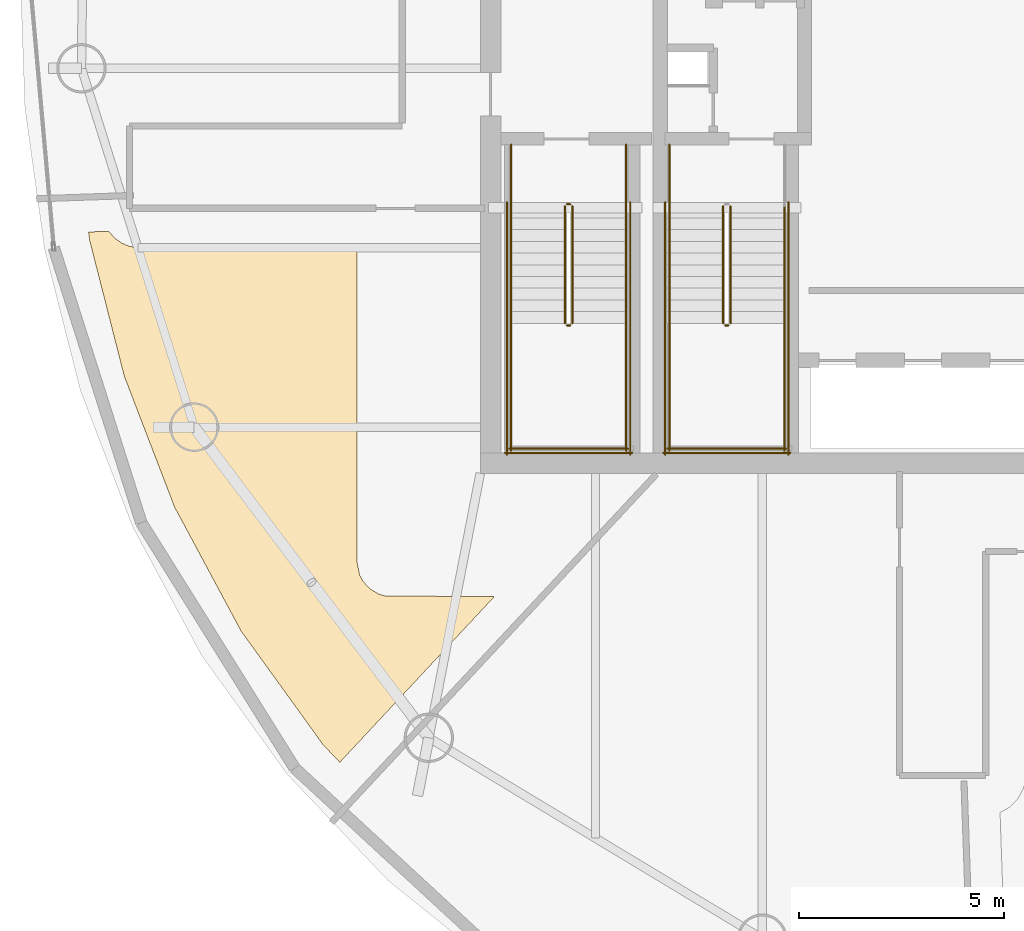
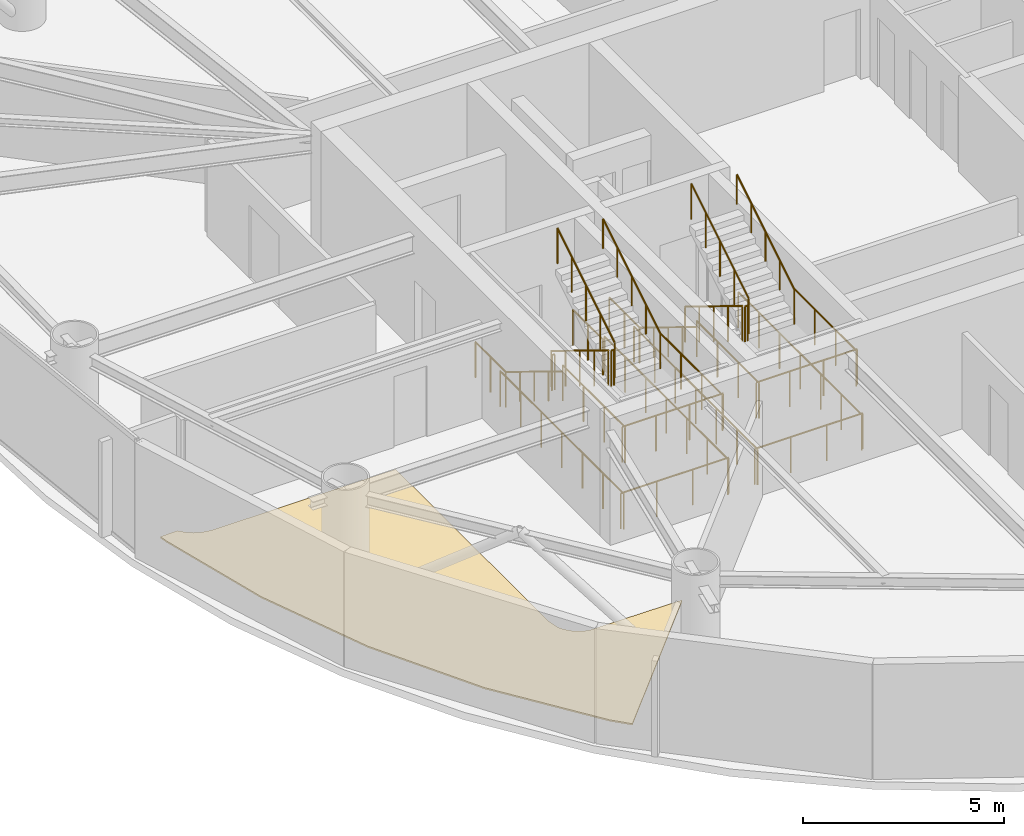
# One storey, part 16 of 18: 26 railings, 1 covering.
"""IFC4 building model written with IfcOpenShell, lengths in metres."""

from ifc_helpers import new_model, si_unit, direction, frame, origin, origin_2d, place, context, subcontext, project, spatial, polyline, circle, outline, extrude, material, layer, layer_set, type_object, element, save


model = new_model("IFC4")

# Units and contexts
model_context = context("Model", 3, precision=1e-05, world=origin(), true_north=direction((0.0, 1.0)))
body_context = subcontext(model_context, "Body", "Model", "MODEL_VIEW")
ifc_project = project(units=[si_unit("LENGTHUNIT", "METRE"), si_unit("AREAUNIT", "SQUARE_METRE"), si_unit("VOLUMEUNIT", "CUBIC_METRE"), si_unit("PLANEANGLEUNIT", "RADIAN"), si_unit("MASSUNIT", "GRAM", prefix="KILO")], contexts=[model_context])

# Site, building, storey
site_placement = place(None, origin())
site = spatial("IfcSite", under=ifc_project, at=site_placement, CompositionType="ELEMENT")
building_placement = place(site_placement, origin())
building = spatial("IfcBuilding", under=site, at=building_placement, Name="Bramvorn Convention Spire", CompositionType="ELEMENT")
storey_placement = place(building_placement, frame((0.0, 0.0, 232.800048828125)))
storey = spatial("IfcBuildingStorey", under=building, at=storey_placement, Name="L59", CompositionType="ELEMENT", Elevation=232.800048828125)

# Covering
ifc_material_1 = material(Name="Calcium-Sulphate Raised Access Office Floor", Category="steel")
ifc_layer = layer(ifc_material_1, 0.044921875)
ifc_layer_set = layer_set([ifc_layer], Name="Calcium-Sulphate Raised Access Office Floor - FLR-RAISED-45")
covering_type = type_object("IfcCoveringType", Name="FLR-RAISED-45", PredefinedType="FLOORING", material=ifc_layer_set)
covering_placement = place(storey_placement, origin())
element("IfcCovering", 1, at=covering_placement, inside=storey, type_object=covering_type, Name="L59 Galley Kitchen 5 raised floor finish", PredefinedType="FLOORING", context=body_context, shape_type="SweptSolid", body=[
    extrude(outline(polyline([(17.217041015625, 24.423583984375), (17.2470703125, 24.2099609375), (18.087158203125, 20.914306640625), (19.31298828125, 17.723876953125), (20.9287109375, 14.713623046875), (22.923583984375, 11.947021484375), (23.33203125, 11.516845703125), (27.093017578125, 15.550048828125), (24.43408203125, 15.56640625), (24.274658203125, 15.61474609375), (24.060791015625, 15.742919921875), (23.893310546875, 15.927734375), (23.814697265625, 16.07470703125), (23.75, 16.39990234375), (23.75, 24.030029296875), (18.447021484375, 24.031494140625), (18.1865234375, 24.081787109375), (18.018310546875, 24.15771484375), (17.858642578125, 24.271484375), (17.70751953125, 24.44091796875), (17.217041015625, 24.423583984375)])), origin(), (0.0, 0.0, 1.0), 0.044921875),
])

# Railings
ifc_material_2 = material(Name="Painted Steel Balustrade & Guardrail", Category="steel")
railing_type_1 = type_object("IfcRailingType", Name="RL-STAIR-GUARD-1100", PredefinedType="GUARDRAIL", material=ifc_material_2)
railing_1_placement = place(storey_placement, frame((28.81005859375, 25.050048828125, 0.175048828125)))
element("IfcRailing", 2, at=railing_1_placement, inside=storey, type_object=railing_type_1, Name="L59 ST1 stair guard 1", PredefinedType="GUARDRAIL", context=body_context, shape_type="SweptSolid", body=[
    extrude(circle(Radius=0.02392578125, at=origin_2d()), frame((0.0, 0.0, 1.076171875), z_axis=(0.0, -0.852179220489, 0.52325001306), x_axis=(1.0, 0.0, 0.0)), (0.0, 0.0, 1.0), 3.344482421875),
    extrude(circle(Radius=0.02099609375, at=origin_2d()), origin(), (0.0, 0.0, 1.0), 1.052001953125),
    extrude(circle(Radius=0.02099609375, at=origin_2d()), frame((0.0, -0.71240234375, 0.4375)), (0.0, 0.0, 1.0), 1.052001953125),
    extrude(circle(Radius=0.02099609375, at=origin_2d()), frame((0.0, -1.425048828125, 0.875)), (0.0, 0.0, 1.0), 1.052001953125),
    extrude(circle(Radius=0.02099609375, at=origin_2d()), frame((0.0, -2.1376953125, 1.3125)), (0.0, 0.0, 1.0), 1.052001953125),
    extrude(circle(Radius=0.02099609375, at=origin_2d()), frame((0.0, -2.85009765625, 1.75)), (0.0, 0.0, 1.0), 1.052001953125),
])
railing_2_placement = place(storey_placement, frame((28.860107421875, 22.14990234375, 1.925048828125)))
element("IfcRailing", 3, at=railing_2_placement, inside=storey, type_object=railing_type_1, Name="L59 ST1 stair guard 2", PredefinedType="GUARDRAIL", context=body_context, shape_type="SweptSolid", body=[
    extrude(circle(Radius=0.02392578125, at=origin_2d()), frame((0.0, 0.0, 1.076171875), z_axis=(1.0, 0.0, 0.0), x_axis=(0.0, 1.0, 0.0)), (0.0, 0.0, 1.0), 0.079833984375),
    extrude(circle(Radius=0.02099609375, at=origin_2d()), origin(), (0.0, 0.0, 1.0), 1.052001953125),
    extrude(circle(Radius=0.02099609375, at=origin_2d()), frame((0.079833984375, 0.0, 0.0)), (0.0, 0.0, 1.0), 1.052001953125),
])
for number, where, name in (
    (4, (27.5, 22.199951171875, 1.925048828125), "L59 ST1 stair guard 3"),
    (5, (30.300048828125, 22.199951171875, 1.925048828125), "L59 ST1 stair guard 4"),
):
    element("IfcRailing", number, at=place(storey_placement, frame(where)), inside=storey, type_object=railing_type_1, Name=name, PredefinedType="GUARDRAIL", context=body_context, shape_type="SweptSolid", body=[
        extrude(circle(Radius=0.02392578125, at=origin_2d()), frame((0.0, 0.0, 1.076171875), z_axis=(0.0, -1.0, 0.0), x_axis=(1.0, 0.0, 0.0)), (0.0, 0.0, 1.0), 3.099853515625),
        extrude(circle(Radius=0.02099609375, at=origin_2d()), origin(), (0.0, 0.0, 1.0), 1.052001953125),
        extrude(circle(Radius=0.02099609375, at=origin_2d()), frame((0.0, -1.033203125, 0.0)), (0.0, 0.0, 1.0), 1.052001953125),
        extrude(circle(Radius=0.02099609375, at=origin_2d()), frame((0.0, -2.066650390625, 0.0)), (0.0, 0.0, 1.0), 1.052001953125),
        extrude(circle(Radius=0.02099609375, at=origin_2d()), frame((0.0, -3.099853515625, 0.0)), (0.0, 0.0, 1.0), 1.052001953125),
    ])
railing_3_placement = place(storey_placement, frame((27.449951171875, 19.14990234375, 1.925048828125)))
element("IfcRailing", 6, at=railing_3_placement, inside=storey, type_object=railing_type_1, Name="L59 ST1 stair guard 5", PredefinedType="GUARDRAIL", context=body_context, shape_type="SweptSolid", body=[
    extrude(circle(Radius=0.02392578125, at=origin_2d()), frame((0.0, 0.0, 1.076171875), z_axis=(1.0, 0.0, 0.0), x_axis=(0.0, 1.0, 0.0)), (0.0, 0.0, 1.0), 2.900146484375),
    extrude(circle(Radius=0.02099609375, at=origin_2d()), origin(), (0.0, 0.0, 1.0), 1.052001953125),
    extrude(circle(Radius=0.02099609375, at=origin_2d()), frame((0.966796875, 0.0, 0.0)), (0.0, 0.0, 1.0), 1.052001953125),
    extrude(circle(Radius=0.02099609375, at=origin_2d()), frame((1.933349609375, 0.0, 0.0)), (0.0, 0.0, 1.0), 1.052001953125),
    extrude(circle(Radius=0.02099609375, at=origin_2d()), frame((2.900146484375, 0.0, 0.0)), (0.0, 0.0, 1.0), 1.052001953125),
])
railing_4_placement = place(storey_placement, frame((28.989990234375, 22.199951171875, 2.099853515625)))
element("IfcRailing", 7, at=railing_4_placement, inside=storey, type_object=railing_type_1, Name="L59 ST1 stair guard 6", PredefinedType="GUARDRAIL", context=body_context, shape_type="SweptSolid", body=[
    extrude(circle(Radius=0.02392578125, at=origin_2d()), frame((0.0, 0.0, 1.076171875), z_axis=(0.0, 0.852179220489, 0.52325001306), x_axis=(-1.0, 0.0, 0.0)), (0.0, 0.0, 1.0), 3.344482421875),
    extrude(circle(Radius=0.02099609375, at=origin_2d()), origin(), (0.0, 0.0, 1.0), 1.052001953125),
    extrude(circle(Radius=0.02099609375, at=origin_2d()), frame((0.0, 0.71240234375, 0.4375)), (0.0, 0.0, 1.0), 1.052001953125),
    extrude(circle(Radius=0.02099609375, at=origin_2d()), frame((0.0, 1.425048828125, 0.875)), (0.0, 0.0, 1.0), 1.052001953125),
    extrude(circle(Radius=0.02099609375, at=origin_2d()), frame((0.0, 2.1376953125, 1.3125)), (0.0, 0.0, 1.0), 1.052001953125),
    extrude(circle(Radius=0.02099609375, at=origin_2d()), frame((0.0, 2.85009765625, 1.75)), (0.0, 0.0, 1.0), 1.052001953125),
])
railing_5_placement = place(storey_placement, frame((28.860107421875, 25.10009765625, 0.0)))
element("IfcRailing", 8, at=railing_5_placement, inside=storey, type_object=railing_type_1, Name="L59 ST1 stair guard 7", PredefinedType="GUARDRAIL", context=body_context, shape_type="SweptSolid", body=[
    extrude(circle(Radius=0.02392578125, at=origin_2d()), frame((0.0, 0.0, 1.076171875), z_axis=(1.0, 0.0, 0.0), x_axis=(0.0, 1.0, 0.0)), (0.0, 0.0, 1.0), 0.079833984375),
    extrude(circle(Radius=0.02099609375, at=origin_2d()), origin(), (0.0, 0.0, 1.0), 1.052001953125),
    extrude(circle(Radius=0.02099609375, at=origin_2d()), frame((0.079833984375, 0.0, 0.0)), (0.0, 0.0, 1.0), 1.052001953125),
])
for number, where, name in (
    (9, (27.5, 26.550048828125, 0.0), "L59 ST1 stair guard 8"),
    (10, (30.300048828125, 26.550048828125, 0.0), "L59 ST1 stair guard 9"),
):
    element("IfcRailing", number, at=place(storey_placement, frame(where)), inside=storey, type_object=railing_type_1, Name=name, PredefinedType="GUARDRAIL", context=body_context, shape_type="SweptSolid", body=[
        extrude(circle(Radius=0.02392578125, at=origin_2d()), frame((0.0, 0.0, 1.076171875), z_axis=(0.0, -1.0, 0.0), x_axis=(1.0, 0.0, 0.0)), (0.0, 0.0, 1.0), 1.5),
        extrude(circle(Radius=0.02099609375, at=origin_2d()), origin(), (0.0, 0.0, 1.0), 1.052001953125),
        extrude(circle(Radius=0.02099609375, at=origin_2d()), frame((0.0, -0.75, 0.0)), (0.0, 0.0, 1.0), 1.052001953125),
        extrude(circle(Radius=0.02099609375, at=origin_2d()), frame((0.0, -1.5, 0.0)), (0.0, 0.0, 1.0), 1.052001953125),
    ])
for number, where, name in (
    (11, (27.39990234375, 25.14990234375, 0.0), "L59 ST1 stair guard 10"),
    (12, (30.39990234375, 25.14990234375, 0.0), "L59 ST1 stair guard 11"),
):
    element("IfcRailing", number, at=place(storey_placement, frame(where)), inside=storey, type_object=railing_type_1, Name=name, PredefinedType="GUARDRAIL", context=body_context, shape_type="SweptSolid", body=[
        extrude(circle(Radius=0.02392578125, at=origin_2d()), frame((0.0, 0.0, 1.076171875), z_axis=(0.0, -1.0, 0.0), x_axis=(1.0, 0.0, 0.0)), (0.0, 0.0, 1.0), 6.14990234375),
        extrude(circle(Radius=0.02099609375, at=origin_2d()), origin(), (0.0, 0.0, 1.0), 1.052001953125),
        extrude(circle(Radius=0.02099609375, at=origin_2d()), frame((0.0, -1.02490234375, 0.0)), (0.0, 0.0, 1.0), 1.052001953125),
        extrude(circle(Radius=0.02099609375, at=origin_2d()), frame((0.0, -2.050048828125, 0.0)), (0.0, 0.0, 1.0), 1.052001953125),
        extrude(circle(Radius=0.02099609375, at=origin_2d()), frame((0.0, -3.074951171875, 0.0)), (0.0, 0.0, 1.0), 1.052001953125),
        extrude(circle(Radius=0.02099609375, at=origin_2d()), frame((0.0, -4.099853515625, 0.0)), (0.0, 0.0, 1.0), 1.052001953125),
        extrude(circle(Radius=0.02099609375, at=origin_2d()), frame((0.0, -5.125, 0.0)), (0.0, 0.0, 1.0), 1.052001953125),
        extrude(circle(Radius=0.02099609375, at=origin_2d()), frame((0.0, -6.14990234375, 0.0)), (0.0, 0.0, 1.0), 1.052001953125),
    ])
railing_6_placement = place(storey_placement, frame((27.35009765625, 19.050048828125, 0.0)))
element("IfcRailing", 13, at=railing_6_placement, inside=storey, type_object=railing_type_1, Name="L59 ST1 stair guard 12", PredefinedType="GUARDRAIL", context=body_context, shape_type="SweptSolid", body=[
    extrude(circle(Radius=0.02392578125, at=origin_2d()), frame((0.0, 0.0, 1.076171875), z_axis=(1.0, 0.0, 0.0), x_axis=(0.0, 1.0, 0.0)), (0.0, 0.0, 1.0), 3.099853515625),
    extrude(circle(Radius=0.02099609375, at=origin_2d()), origin(), (0.0, 0.0, 1.0), 1.052001953125),
    extrude(circle(Radius=0.02099609375, at=origin_2d()), frame((1.033203125, 0.0, 0.0)), (0.0, 0.0, 1.0), 1.052001953125),
    extrude(circle(Radius=0.02099609375, at=origin_2d()), frame((2.066650390625, 0.0, 0.0)), (0.0, 0.0, 1.0), 1.052001953125),
    extrude(circle(Radius=0.02099609375, at=origin_2d()), frame((3.099853515625, 0.0, 0.0)), (0.0, 0.0, 1.0), 1.052001953125),
])
railing_7_placement = place(storey_placement, frame((32.659912109375, 25.050048828125, 0.175048828125)))
element("IfcRailing", 14, at=railing_7_placement, inside=storey, type_object=railing_type_1, Name="L59 ST3 stair guard 1", PredefinedType="GUARDRAIL", context=body_context, shape_type="SweptSolid", body=[
    extrude(circle(Radius=0.02392578125, at=origin_2d()), frame((0.0, 0.0, 1.076171875), z_axis=(0.0, -0.852179220489, 0.52325001306), x_axis=(1.0, 0.0, 0.0)), (0.0, 0.0, 1.0), 3.344482421875),
    extrude(circle(Radius=0.02099609375, at=origin_2d()), origin(), (0.0, 0.0, 1.0), 1.052001953125),
    extrude(circle(Radius=0.02099609375, at=origin_2d()), frame((0.0, -0.71240234375, 0.4375)), (0.0, 0.0, 1.0), 1.052001953125),
    extrude(circle(Radius=0.02099609375, at=origin_2d()), frame((0.0, -1.425048828125, 0.875)), (0.0, 0.0, 1.0), 1.052001953125),
    extrude(circle(Radius=0.02099609375, at=origin_2d()), frame((0.0, -2.1376953125, 1.3125)), (0.0, 0.0, 1.0), 1.052001953125),
    extrude(circle(Radius=0.02099609375, at=origin_2d()), frame((0.0, -2.85009765625, 1.75)), (0.0, 0.0, 1.0), 1.052001953125),
])
railing_8_placement = place(storey_placement, frame((32.7099609375, 22.14990234375, 1.925048828125)))
element("IfcRailing", 15, at=railing_8_placement, inside=storey, type_object=railing_type_1, Name="L59 ST3 stair guard 2", PredefinedType="GUARDRAIL", context=body_context, shape_type="SweptSolid", body=[
    extrude(circle(Radius=0.02392578125, at=origin_2d()), frame((0.0, 0.0, 1.076171875), z_axis=(1.0, 0.0, 0.0), x_axis=(0.0, 1.0, 0.0)), (0.0, 0.0, 1.0), 0.080078125),
    extrude(circle(Radius=0.02099609375, at=origin_2d()), origin(), (0.0, 0.0, 1.0), 1.052001953125),
    extrude(circle(Radius=0.02099609375, at=origin_2d()), frame((0.080078125, 0.0, 0.0)), (0.0, 0.0, 1.0), 1.052001953125),
])
for number, where, name in (
    (16, (31.35009765625, 22.199951171875, 1.925048828125), "L59 ST3 stair guard 3"),
    (17, (34.14990234375, 22.199951171875, 1.925048828125), "L59 ST3 stair guard 4"),
):
    element("IfcRailing", number, at=place(storey_placement, frame(where)), inside=storey, type_object=railing_type_1, Name=name, PredefinedType="GUARDRAIL", context=body_context, shape_type="SweptSolid", body=[
        extrude(circle(Radius=0.02392578125, at=origin_2d()), frame((0.0, 0.0, 1.076171875), z_axis=(0.0, -1.0, 0.0), x_axis=(1.0, 0.0, 0.0)), (0.0, 0.0, 1.0), 3.099853515625),
        extrude(circle(Radius=0.02099609375, at=origin_2d()), origin(), (0.0, 0.0, 1.0), 1.052001953125),
        extrude(circle(Radius=0.02099609375, at=origin_2d()), frame((0.0, -1.033203125, 0.0)), (0.0, 0.0, 1.0), 1.052001953125),
        extrude(circle(Radius=0.02099609375, at=origin_2d()), frame((0.0, -2.066650390625, 0.0)), (0.0, 0.0, 1.0), 1.052001953125),
        extrude(circle(Radius=0.02099609375, at=origin_2d()), frame((0.0, -3.099853515625, 0.0)), (0.0, 0.0, 1.0), 1.052001953125),
    ])
railing_9_placement = place(storey_placement, frame((31.300048828125, 19.14990234375, 1.925048828125)))
element("IfcRailing", 18, at=railing_9_placement, inside=storey, type_object=railing_type_1, Name="L59 ST3 stair guard 5", PredefinedType="GUARDRAIL", context=body_context, shape_type="SweptSolid", body=[
    extrude(circle(Radius=0.02392578125, at=origin_2d()), frame((0.0, 0.0, 1.076171875), z_axis=(1.0, 0.0, 0.0), x_axis=(0.0, 1.0, 0.0)), (0.0, 0.0, 1.0), 2.89990234375),
    extrude(circle(Radius=0.02099609375, at=origin_2d()), origin(), (0.0, 0.0, 1.0), 1.052001953125),
    extrude(circle(Radius=0.02099609375, at=origin_2d()), frame((0.966552734375, 0.0, 0.0)), (0.0, 0.0, 1.0), 1.052001953125),
    extrude(circle(Radius=0.02099609375, at=origin_2d()), frame((1.933349609375, 0.0, 0.0)), (0.0, 0.0, 1.0), 1.052001953125),
    extrude(circle(Radius=0.02099609375, at=origin_2d()), frame((2.89990234375, 0.0, 0.0)), (0.0, 0.0, 1.0), 1.052001953125),
])
railing_10_placement = place(storey_placement, frame((32.840087890625, 22.199951171875, 2.099853515625)))
element("IfcRailing", 19, at=railing_10_placement, inside=storey, type_object=railing_type_1, Name="L59 ST3 stair guard 6", PredefinedType="GUARDRAIL", context=body_context, shape_type="SweptSolid", body=[
    extrude(circle(Radius=0.02392578125, at=origin_2d()), frame((0.0, 0.0, 1.076171875), z_axis=(0.0, 0.852179220489, 0.52325001306), x_axis=(-1.0, 0.0, 0.0)), (0.0, 0.0, 1.0), 3.344482421875),
    extrude(circle(Radius=0.02099609375, at=origin_2d()), origin(), (0.0, 0.0, 1.0), 1.052001953125),
    extrude(circle(Radius=0.02099609375, at=origin_2d()), frame((0.0, 0.71240234375, 0.4375)), (0.0, 0.0, 1.0), 1.052001953125),
    extrude(circle(Radius=0.02099609375, at=origin_2d()), frame((0.0, 1.425048828125, 0.875)), (0.0, 0.0, 1.0), 1.052001953125),
    extrude(circle(Radius=0.02099609375, at=origin_2d()), frame((0.0, 2.1376953125, 1.3125)), (0.0, 0.0, 1.0), 1.052001953125),
    extrude(circle(Radius=0.02099609375, at=origin_2d()), frame((0.0, 2.85009765625, 1.75)), (0.0, 0.0, 1.0), 1.052001953125),
])
railing_11_placement = place(storey_placement, frame((31.35009765625, 26.550048828125, 0.0)))
element("IfcRailing", 20, at=railing_11_placement, inside=storey, type_object=railing_type_1, Name="L59 ST3 stair guard 8", PredefinedType="GUARDRAIL", context=body_context, shape_type="SweptSolid", body=[
    extrude(circle(Radius=0.02392578125, at=origin_2d()), frame((0.0, 0.0, 1.076171875), z_axis=(0.0, -1.0, 0.0), x_axis=(1.0, 0.0, 0.0)), (0.0, 0.0, 1.0), 1.5),
    extrude(circle(Radius=0.02099609375, at=origin_2d()), origin(), (0.0, 0.0, 1.0), 1.052001953125),
    extrude(circle(Radius=0.02099609375, at=origin_2d()), frame((0.0, -0.75, 0.0)), (0.0, 0.0, 1.0), 1.052001953125),
    extrude(circle(Radius=0.02099609375, at=origin_2d()), frame((0.0, -1.5, 0.0)), (0.0, 0.0, 1.0), 1.052001953125),
])
for number, where, name in (
    (21, (31.25, 25.14990234375, 0.0), "L59 ST3 stair guard 10"),
    (22, (34.25, 25.14990234375, 0.0), "L59 ST3 stair guard 11"),
):
    element("IfcRailing", number, at=place(storey_placement, frame(where)), inside=storey, type_object=railing_type_1, Name=name, PredefinedType="GUARDRAIL", context=body_context, shape_type="SweptSolid", body=[
        extrude(circle(Radius=0.02392578125, at=origin_2d()), frame((0.0, 0.0, 1.076171875), z_axis=(0.0, -1.0, 0.0), x_axis=(1.0, 0.0, 0.0)), (0.0, 0.0, 1.0), 6.14990234375),
        extrude(circle(Radius=0.02099609375, at=origin_2d()), origin(), (0.0, 0.0, 1.0), 1.052001953125),
        extrude(circle(Radius=0.02099609375, at=origin_2d()), frame((0.0, -1.02490234375, 0.0)), (0.0, 0.0, 1.0), 1.052001953125),
        extrude(circle(Radius=0.02099609375, at=origin_2d()), frame((0.0, -2.050048828125, 0.0)), (0.0, 0.0, 1.0), 1.052001953125),
        extrude(circle(Radius=0.02099609375, at=origin_2d()), frame((0.0, -3.074951171875, 0.0)), (0.0, 0.0, 1.0), 1.052001953125),
        extrude(circle(Radius=0.02099609375, at=origin_2d()), frame((0.0, -4.099853515625, 0.0)), (0.0, 0.0, 1.0), 1.052001953125),
        extrude(circle(Radius=0.02099609375, at=origin_2d()), frame((0.0, -5.125, 0.0)), (0.0, 0.0, 1.0), 1.052001953125),
        extrude(circle(Radius=0.02099609375, at=origin_2d()), frame((0.0, -6.14990234375, 0.0)), (0.0, 0.0, 1.0), 1.052001953125),
    ])
railing_12_placement = place(storey_placement, frame((31.199951171875, 19.050048828125, 0.0)))
element("IfcRailing", 23, at=railing_12_placement, inside=storey, type_object=railing_type_1, Name="L59 ST3 stair guard 12", PredefinedType="GUARDRAIL", context=body_context, shape_type="SweptSolid", body=[
    extrude(circle(Radius=0.02392578125, at=origin_2d()), frame((0.0, 0.0, 1.076171875), z_axis=(1.0, 0.0, 0.0), x_axis=(0.0, 1.0, 0.0)), (0.0, 0.0, 1.0), 3.10009765625),
    extrude(circle(Radius=0.02099609375, at=origin_2d()), origin(), (0.0, 0.0, 1.0), 1.052001953125),
    extrude(circle(Radius=0.02099609375, at=origin_2d()), frame((1.033447265625, 0.0, 0.0)), (0.0, 0.0, 1.0), 1.052001953125),
    extrude(circle(Radius=0.02099609375, at=origin_2d()), frame((2.066650390625, 0.0, 0.0)), (0.0, 0.0, 1.0), 1.052001953125),
    extrude(circle(Radius=0.02099609375, at=origin_2d()), frame((3.10009765625, 0.0, 0.0)), (0.0, 0.0, 1.0), 1.052001953125),
])
ifc_material_3 = material(Name="Brushed Bronze Tubular Handrail", Category="aluminium")
railing_type_2 = type_object("IfcRailingType", Name="RL-STAIR-HR-920", PredefinedType="HANDRAIL", material=ifc_material_3)
railing_13_placement = place(storey_placement, frame((27.5, 25.050048828125, 0.175048828125)))
element("IfcRailing", 24, at=railing_13_placement, inside=storey, type_object=railing_type_2, Name="L59 ST1 stair handrail 1", PredefinedType="HANDRAIL", context=body_context, shape_type="SweptSolid", body=[
    extrude(circle(Radius=0.02392578125, at=origin_2d()), frame((0.0, 0.0, 0.89599609375), z_axis=(0.0, -0.852179220489, 0.52325001306), x_axis=(1.0, 0.0, 0.0)), (0.0, 0.0, 1.0), 3.344482421875),
    extrude(circle(Radius=0.02099609375, at=origin_2d()), origin(), (0.0, 0.0, 1.0), 0.871826171875),
    extrude(circle(Radius=0.02099609375, at=origin_2d()), frame((0.0, -0.71240234375, 0.4375)), (0.0, 0.0, 1.0), 0.871826171875),
    extrude(circle(Radius=0.02099609375, at=origin_2d()), frame((0.0, -1.425048828125, 0.875)), (0.0, 0.0, 1.0), 0.871826171875),
    extrude(circle(Radius=0.02099609375, at=origin_2d()), frame((0.0, -2.1376953125, 1.3125)), (0.0, 0.0, 1.0), 0.871826171875),
    extrude(circle(Radius=0.02099609375, at=origin_2d()), frame((0.0, -2.85009765625, 1.75)), (0.0, 0.0, 1.0), 0.871826171875),
])
railing_14_placement = place(storey_placement, frame((30.300048828125, 22.199951171875, 2.099853515625)))
element("IfcRailing", 25, at=railing_14_placement, inside=storey, type_object=railing_type_2, Name="L59 ST1 stair handrail 2", PredefinedType="HANDRAIL", context=body_context, shape_type="SweptSolid", body=[
    extrude(circle(Radius=0.02392578125, at=origin_2d()), frame((0.0, 0.0, 0.89599609375), z_axis=(0.0, 0.852179220489, 0.52325001306), x_axis=(-1.0, 0.0, 0.0)), (0.0, 0.0, 1.0), 3.344482421875),
    extrude(circle(Radius=0.02099609375, at=origin_2d()), origin(), (0.0, 0.0, 1.0), 0.871826171875),
    extrude(circle(Radius=0.02099609375, at=origin_2d()), frame((0.0, 0.71240234375, 0.4375)), (0.0, 0.0, 1.0), 0.871826171875),
    extrude(circle(Radius=0.02099609375, at=origin_2d()), frame((0.0, 1.425048828125, 0.875)), (0.0, 0.0, 1.0), 0.871826171875),
    extrude(circle(Radius=0.02099609375, at=origin_2d()), frame((0.0, 2.1376953125, 1.3125)), (0.0, 0.0, 1.0), 0.871826171875),
    extrude(circle(Radius=0.02099609375, at=origin_2d()), frame((0.0, 2.85009765625, 1.75)), (0.0, 0.0, 1.0), 0.871826171875),
])
railing_15_placement = place(storey_placement, frame((31.35009765625, 25.050048828125, 0.175048828125)))
element("IfcRailing", 26, at=railing_15_placement, inside=storey, type_object=railing_type_2, Name="L59 ST3 stair handrail 1", PredefinedType="HANDRAIL", context=body_context, shape_type="SweptSolid", body=[
    extrude(circle(Radius=0.02392578125, at=origin_2d()), frame((0.0, 0.0, 0.89599609375), z_axis=(0.0, -0.852179220489, 0.52325001306), x_axis=(1.0, 0.0, 0.0)), (0.0, 0.0, 1.0), 3.344482421875),
    extrude(circle(Radius=0.02099609375, at=origin_2d()), origin(), (0.0, 0.0, 1.0), 0.871826171875),
    extrude(circle(Radius=0.02099609375, at=origin_2d()), frame((0.0, -0.71240234375, 0.4375)), (0.0, 0.0, 1.0), 0.871826171875),
    extrude(circle(Radius=0.02099609375, at=origin_2d()), frame((0.0, -1.425048828125, 0.875)), (0.0, 0.0, 1.0), 0.871826171875),
    extrude(circle(Radius=0.02099609375, at=origin_2d()), frame((0.0, -2.1376953125, 1.3125)), (0.0, 0.0, 1.0), 0.871826171875),
    extrude(circle(Radius=0.02099609375, at=origin_2d()), frame((0.0, -2.85009765625, 1.75)), (0.0, 0.0, 1.0), 0.871826171875),
])
railing_16_placement = place(storey_placement, frame((34.14990234375, 22.199951171875, 2.099853515625)))
element("IfcRailing", 27, at=railing_16_placement, inside=storey, type_object=railing_type_2, Name="L59 ST3 stair handrail 2", PredefinedType="HANDRAIL", context=body_context, shape_type="SweptSolid", body=[
    extrude(circle(Radius=0.02392578125, at=origin_2d()), frame((0.0, 0.0, 0.89599609375), z_axis=(0.0, 0.852179220489, 0.52325001306), x_axis=(-1.0, 0.0, 0.0)), (0.0, 0.0, 1.0), 3.344482421875),
    extrude(circle(Radius=0.02099609375, at=origin_2d()), origin(), (0.0, 0.0, 1.0), 0.871826171875),
    extrude(circle(Radius=0.02099609375, at=origin_2d()), frame((0.0, 0.71240234375, 0.4375)), (0.0, 0.0, 1.0), 0.871826171875),
    extrude(circle(Radius=0.02099609375, at=origin_2d()), frame((0.0, 1.425048828125, 0.875)), (0.0, 0.0, 1.0), 0.871826171875),
    extrude(circle(Radius=0.02099609375, at=origin_2d()), frame((0.0, 2.1376953125, 1.3125)), (0.0, 0.0, 1.0), 0.871826171875),
    extrude(circle(Radius=0.02099609375, at=origin_2d()), frame((0.0, 2.85009765625, 1.75)), (0.0, 0.0, 1.0), 0.871826171875),
])

save(model, "model.ifc")
